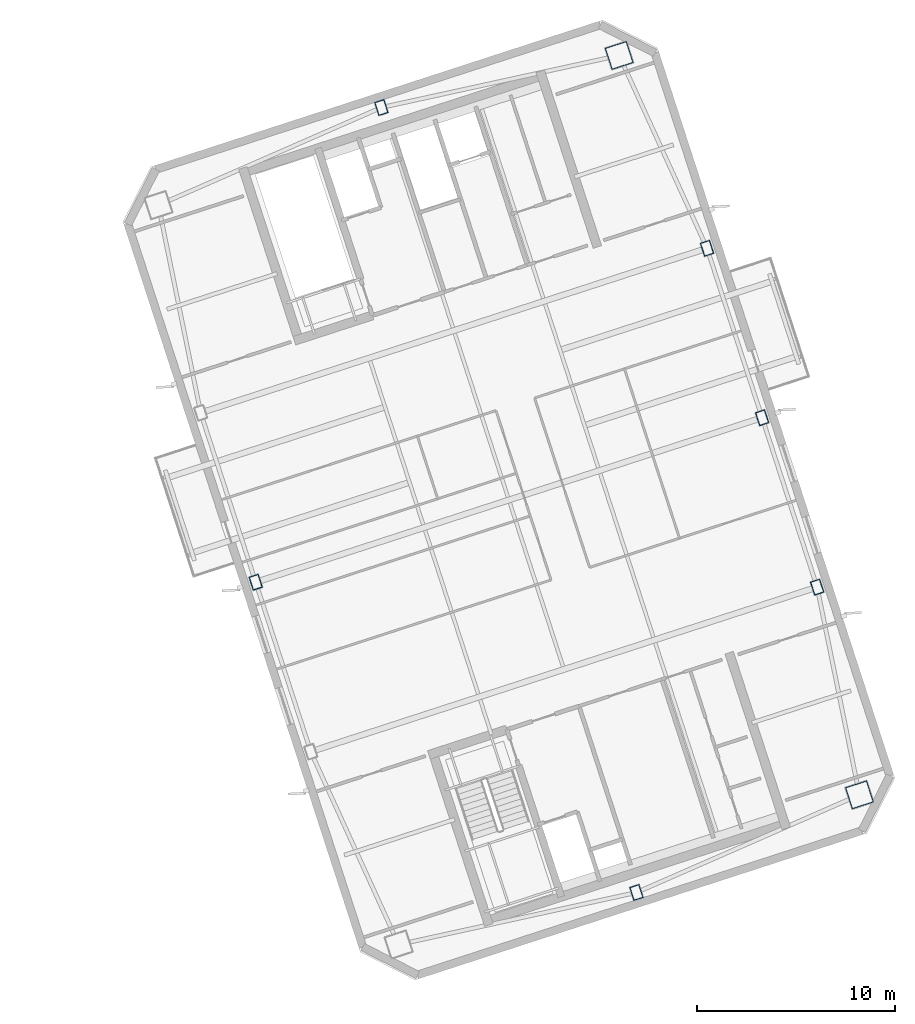
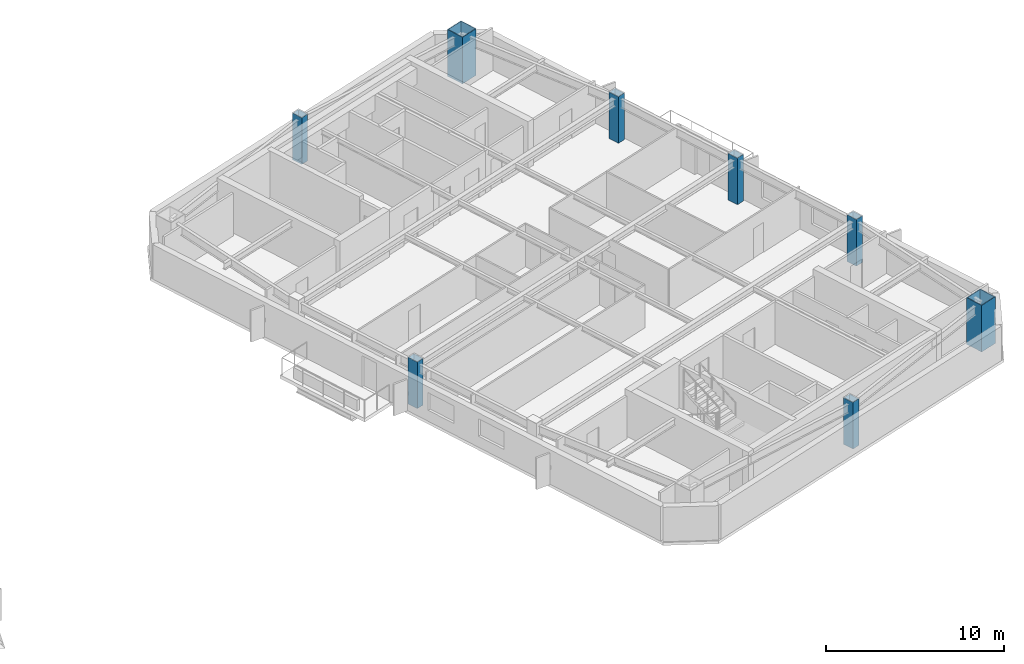
# One storey, part 2 of 17: 8 columns.
"""IFC4 building model written with IfcOpenShell, lengths in metres."""

from ifc_helpers import new_model, si_unit, direction, frame, origin, origin_2d, place, context, subcontext, project, spatial, hollow_rectangle, extrude, material, material_profile, profile_set, type_object, element, save


model = new_model("IFC4")

# Units and contexts
model_context = context("Model", 3, precision=1e-05, world=origin(), true_north=direction((0.0, 1.0)))
body_context = subcontext(model_context, "Body", "Model", "MODEL_VIEW")
ifc_project = project(units=[si_unit("LENGTHUNIT", "METRE"), si_unit("AREAUNIT", "SQUARE_METRE"), si_unit("VOLUMEUNIT", "CUBIC_METRE"), si_unit("PLANEANGLEUNIT", "RADIAN"), si_unit("MASSUNIT", "GRAM", prefix="KILO")], contexts=[model_context])

# Site, building, storey
site_placement = place(None, origin())
site = spatial("IfcSite", under=ifc_project, at=site_placement, CompositionType="ELEMENT")
building_placement = place(site_placement, origin())
building = spatial("IfcBuilding", under=site, at=building_placement, Name="Qiaolan Cultural Towers", CompositionType="ELEMENT")
storey_placement = place(building_placement, frame((0.0, 0.0, 247.199951171875)))
storey = spatial("IfcBuildingStorey", under=building, at=storey_placement, Name="L67", CompositionType="ELEMENT", Elevation=247.199951171875)

# Columns
ifc_material_1 = material(Name="Steel Q390GJB", Category="steel")
ifc_material_profile_1 = material_profile(ifc_material_1, hollow_rectangle(XDim=1.14990234375, YDim=1.14990234375, WallThickness=0.0400390625, at=origin_2d()), Name="BOX1150x1150x40")
ifc_profile_set_1 = profile_set([ifc_material_profile_1], Name="Steel Q390GJB")
column_type_1 = type_object("IfcColumnType", Name="COL-BOX1150x1150x40", PredefinedType="COLUMN", material=ifc_profile_set_1)
for number, where, z_axis, x_axis, name in (
    (1, (107.7099609375, 19.103515625, 0.0), (0.0, 0.0, 1.0), (0.951056516295, 0.309016994375, 0.0), "L67 T2 Perimeter Column MC-SE"),
    (2, (95.57177734375, 56.461181640625, 0.0), (0.0, 0.0, 1.0), (0.951056516295, 0.309016994375, 0.0), "L67 T2 Perimeter Column MC-NE"),
):
    element("IfcColumn", number, at=place(storey_placement, frame(where, z_axis=z_axis, x_axis=x_axis)), inside=storey, type_object=column_type_1, Name=name, PredefinedType="COLUMN", context=body_context, shape_type="SweptSolid", body=[
        extrude(hollow_rectangle(XDim=1.14990234375, YDim=1.14990234375, WallThickness=0.0400390625, at=origin_2d()), origin(), (0.0, 0.0, 1.0), 3.200927734375),
    ])
ifc_material_2 = material(Name="Steel Q355B", Category="steel")
ifc_material_profile_2 = material_profile(ifc_material_2, hollow_rectangle(XDim=0.5, YDim=0.699951171875, WallThickness=0.02490234375, at=origin_2d()), Name="BOX700x500x25")
ifc_profile_set_2 = profile_set([ifc_material_profile_2], Name="Steel Q355B")
column_type_2 = type_object("IfcColumnType", Name="COL-BOX700x500x25", PredefinedType="COLUMN", material=ifc_profile_set_2)
for number, where, z_axis, x_axis, name in (
    (3, (77.208251953125, 29.84375, 0.0), (0.0, 0.0, 1.0), (0.951056516295, 0.309016994375, 0.0), "L67 T2 Perimeter Column PC-W2"),
    (4, (105.57275390625, 29.5966796875, 0.0), (0.0, 0.0, 1.0), (0.951056516295, 0.309016994375, 0.0), "L67 T2 Perimeter Column PC-E1"),
    (5, (102.791748046875, 38.15625, 0.0), (0.0, 0.0, 1.0), (0.951056516295, 0.309016994375, 0.0), "L67 T2 Perimeter Column PC-E2"),
    (6, (100.010498046875, 46.7158203125, 0.0), (0.0, 0.0, 1.0), (0.951056516295, 0.309016994375, 0.0), "L67 T2 Perimeter Column PC-E3"),
    (7, (96.443115234375, 14.17041015625, 0.0), (0.0, 0.0, 1.0), (0.951056516295, 0.309016994375, 0.0), "L67 T2 Perimeter Column PC-S0"),
    (8, (83.556884765625, 53.82958984375, 0.0), (0.0, 0.0, 1.0), (0.951056516295, 0.309016994375, 0.0), "L67 T2 Perimeter Column PC-N0"),
):
    element("IfcColumn", number, at=place(storey_placement, frame(where, z_axis=z_axis, x_axis=x_axis)), inside=storey, type_object=column_type_2, Name=name, PredefinedType="COLUMN", context=body_context, shape_type="SweptSolid", body=[
        extrude(hollow_rectangle(XDim=0.5, YDim=0.699951171875, WallThickness=0.02490234375, at=origin_2d()), origin(), (0.0, 0.0, 1.0), 3.200927734375),
    ])

save(model, "model.ifc")
